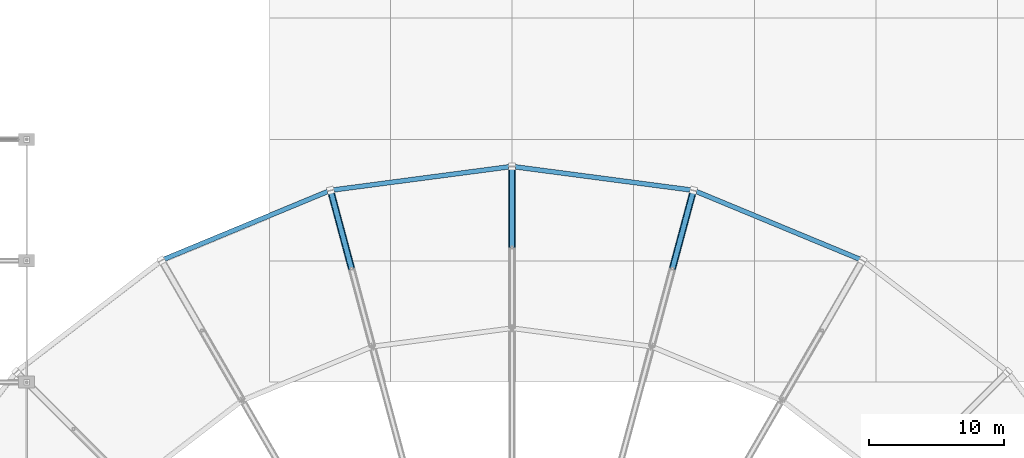
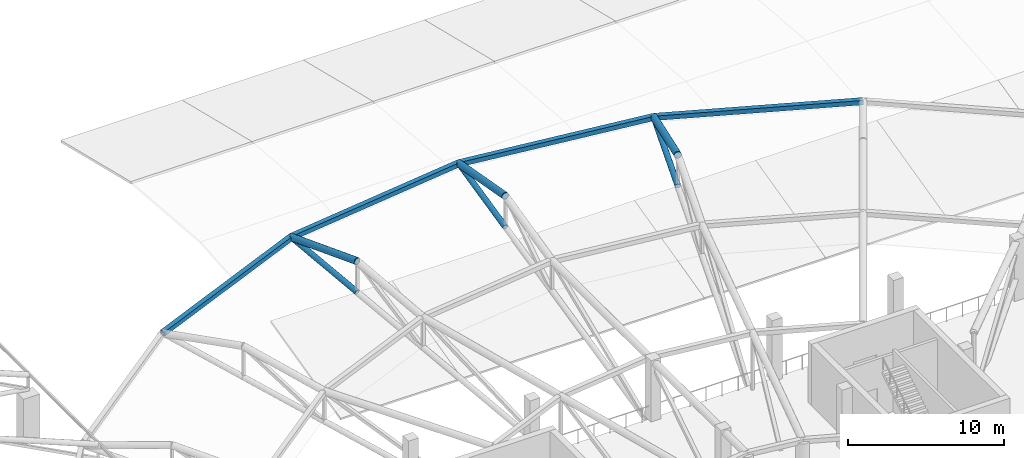
# One storey, part 117 of 167: 10 members.
"""IFC4 building model written with IfcOpenShell, lengths in metres."""

import ifcopenshell
import ifcopenshell.guid

model = None  # the IFC model being written
_history = None  # IfcOwnerHistory: only IFC2X3 demands one
_inside = {}  # id of a spatial element -> (the spatial element, [elements in it])
_under = {}  # id of a project, library or spatial element -> (it, [spatial elements below it])
_declared = {}  # id of a project -> (the project, [libraries it declares])
_typed = {}  # id of a type object -> (the type object, [elements of that type])
_made_of = {}  # id of a material, layer set ... -> (it, [elements and type objects made of it])


def new_model(schema):
    """Start an empty IFC model of exactly this schema.

    Asked for "IFC4X3", IfcOpenShell would pick the latest addendum, in which some entities
    have other attributes; the version numbers below select the first issue.
    IFC2X3 requires an IfcOwnerHistory on every rooted entity: one is made here for all.
    """
    global model, _history
    if schema == "IFC4X3":
        model = ifcopenshell.file(schema_version=(4, 3, 0, 0))
    else:
        model = ifcopenshell.file(schema=schema)
    _inside.clear()
    _under.clear()
    _declared.clear()
    _typed.clear()
    _made_of.clear()
    _history = None
    if model.schema == "IFC2X3":
        org = make("IfcOrganization", Name="unknown")
        user = make(
            "IfcPersonAndOrganization",
            ThePerson=make("IfcPerson", FamilyName="unknown"),
            TheOrganization=org,
        )
        app = make(
            "IfcApplication",
            ApplicationDeveloper=org,
            Version="unknown",
            ApplicationFullName="unknown",
            ApplicationIdentifier="unknown",
        )
        _history = make(
            "IfcOwnerHistory",
            OwningUser=user,
            OwningApplication=app,
            ChangeAction="ADDED",
            CreationDate=0,
        )
    return model


def make(cls, **values):
    """One entity of the class cls with the attributes given. An attribute that is None is left unset."""
    return model.create_entity(
        cls, **{name: value for name, value in values.items() if value is not None}
    )


def rooted(cls, **values):
    """An entity with a GlobalId (a new one), such as an element, a storey or a relation."""
    return make(cls, GlobalId=ifcopenshell.guid.new(), OwnerHistory=_history, **values)


def si_unit(unit_type, name, prefix=None):
    """IfcSIUnit, for example si_unit("LENGTHUNIT", "METRE", prefix="MILLI")."""
    return make("IfcSIUnit", UnitType=unit_type, Prefix=prefix, Name=name)


def assignment(units):
    """IfcUnitAssignment: the units of a project."""
    return None if units is None else make("IfcUnitAssignment", Units=units)


def point(xyz):
    """IfcCartesianPoint."""
    return None if xyz is None else make("IfcCartesianPoint", Coordinates=xyz)


def direction(xyz):
    """IfcDirection."""
    return None if xyz is None else make("IfcDirection", DirectionRatios=xyz)


def frame(location, z_axis=None, x_axis=None):
    """IfcAxis2Placement3D, a coordinate frame: its origin and axes. An axis left out is left unset."""
    return make(
        "IfcAxis2Placement3D",
        Location=point(location),
        Axis=direction(z_axis),
        RefDirection=direction(x_axis),
    )


def frame_2d(location, x_axis=None):
    """IfcAxis2Placement2D, a coordinate frame in the plane: its origin and x axis."""
    return make(
        "IfcAxis2Placement2D", Location=point(location), RefDirection=direction(x_axis)
    )


def origin():
    """The frame at (0, 0, 0) with its axes left unset."""
    return frame((0.0, 0.0, 0.0))


def origin_2d():
    """The frame at (0, 0) in the plane with its x axis left unset."""
    return frame_2d((0.0, 0.0))


def place(relative_to, where):
    """IfcLocalPlacement: puts the frame where relative to a parent placement (None: the world)."""
    return make(
        "IfcLocalPlacement", PlacementRelTo=relative_to, RelativePlacement=where
    )


def context(
    kind, dimensions, precision=None, world=None, true_north=None, identifier=None
):
    """IfcGeometricRepresentationContext, for example the 3D "Model" context."""
    return make(
        "IfcGeometricRepresentationContext",
        ContextIdentifier=identifier,
        ContextType=kind,
        CoordinateSpaceDimension=dimensions,
        Precision=precision,
        WorldCoordinateSystem=world,
        TrueNorth=true_north,
    )


def subcontext(parent, identifier, kind, view, scale=None):
    """IfcGeometricRepresentationSubContext, for example "Body" below "Model"."""
    return make(
        "IfcGeometricRepresentationSubContext",
        ContextIdentifier=identifier,
        ContextType=kind,
        ParentContext=parent,
        TargetScale=scale,
        TargetView=view,
    )


def project(units=None, contexts=None):
    """IfcProject with its units and contexts."""
    return rooted(
        "IfcProject",
        Name="project",
        RepresentationContexts=contexts,
        UnitsInContext=assignment(units),
    )


def spatial(cls, under=None, at=None, **own):
    """A site, building, storey or space (cls), placed at a placement, below another one or the project."""
    s = rooted(cls, ObjectPlacement=at, **own)
    if under is not None:
        _under.setdefault(under.id(), (under, []))[1].append(s)
    return s


def profile(cls, at=None, kind="AREA", **sizes):
    """A parametric profile (cls). Its sizes go by their IFC names, for example OverallWidth=200.0."""
    return make(cls, ProfileType=kind, Position=at, **sizes)


def hollow_rectangle(**sizes):
    """IfcRectangleHollowProfileDef."""
    return profile("IfcRectangleHollowProfileDef", **sizes)


def hollow_circle(**sizes):
    """IfcCircleHollowProfileDef."""
    return profile("IfcCircleHollowProfileDef", **sizes)


def extrude(swept, where, along, depth):
    """IfcExtrudedAreaSolid: the profile swept, set in the frame where, extruded along a direction by depth."""
    return make(
        "IfcExtrudedAreaSolid",
        SweptArea=swept,
        Position=where,
        ExtrudedDirection=direction(along),
        Depth=depth,
    )


def shape(context_of_items, identifier, shape_type, items):
    """IfcShapeRepresentation: the items that make up one representation, for example the "Body"."""
    return make(
        "IfcShapeRepresentation",
        ContextOfItems=context_of_items,
        RepresentationIdentifier=identifier,
        RepresentationType=shape_type,
        Items=items,
    )


def material(Name=None, Category=None):
    """IfcMaterial."""
    return make("IfcMaterial", Name=Name, Category=Category)


def material_profile(
    of_material, cross_section, Name=None, Category=None, Priority=None
):
    """IfcMaterialProfile: a cross section and its material."""
    return make(
        "IfcMaterialProfile",
        Name=Name,
        Material=of_material,
        Profile=cross_section,
        Priority=Priority,
        Category=Category,
    )


def profile_set(profiles, Name=None, composite=None):
    """IfcMaterialProfileSet."""
    return make(
        "IfcMaterialProfileSet",
        Name=Name,
        MaterialProfiles=profiles,
        CompositeProfile=composite,
    )


def made_of(thing, what):
    """Note that an element or type object is made of a material, layer set ...; save() writes the relation."""
    if what is not None:
        _made_of.setdefault(what.id(), (what, []))[1].append(thing)
    return thing


def type_object(cls, material=None, **own):
    """A type object (cls), such as IfcWallType, which elements share."""
    return made_of(rooted(cls, **own), material)


def element(
    cls,
    number,
    at=None,
    inside=None,
    cuts=None,
    type_object=None,
    material=None,
    context=None,
    identifier="Body",
    shape_type=None,
    held_by="IfcProductDefinitionShape",
    body=None,
    shapes=None,
    **own,
):
    """One element of the class cls, such as IfcWall. Its Tag is "e" and its number.

    at: its placement. inside: the storey or other place that contains it. cuts: it is an
    opening in that element (IfcRelVoidsElement). A single representation is given by context,
    identifier, shape_type and body (its items); several are given by shapes. held_by: the class
    of the entity that holds the representations. save() writes the other relations.
    """
    e = rooted(cls, Tag="e%d" % number, ObjectPlacement=at, **own)
    if body is not None:
        shapes = [shape(context, identifier, shape_type, body)]
    if shapes is not None:
        e.Representation = make(held_by, Representations=shapes)
    if inside is not None:
        _inside.setdefault(inside.id(), (inside, []))[1].append(e)
    if cuts is not None:
        rooted(
            "IfcRelVoidsElement", RelatingBuildingElement=cuts, RelatedOpeningElement=e
        )
    if type_object is not None:
        _typed.setdefault(type_object.id(), (type_object, []))[1].append(e)
    return made_of(e, material)


def aggregate(whole, parts):
    """IfcRelAggregates: a whole, such as a stair, and the parts it consists of."""
    return rooted("IfcRelAggregates", RelatingObject=whole, RelatedObjects=parts)


def save(model, path):
    """Write the relations noted so far, then the file.

    IfcRelAggregates (storeys below a building ...), IfcRelContainedInSpatialStructure (elements
    in a storey), IfcRelDefinesByType, IfcRelAssociatesMaterial and IfcRelDeclares: one each for
    every whole, place, type object, material and project.
    """
    for whole, parts in _under.values():
        aggregate(whole, parts)
    for where, things in _inside.values():
        rooted(
            "IfcRelContainedInSpatialStructure",
            RelatedElements=things,
            RelatingStructure=where,
        )
    for kind, things in _typed.values():
        rooted("IfcRelDefinesByType", RelatedObjects=things, RelatingType=kind)
    for what, things in _made_of.values():
        rooted("IfcRelAssociatesMaterial", RelatedObjects=things, RelatingMaterial=what)
    for by, libraries in _declared.values():
        rooted("IfcRelDeclares", RelatingContext=by, RelatedDefinitions=libraries)
    model.write(path)


model = new_model("IFC4")

# Units and contexts
model_context = context("Model", 3, precision=1e-05, world=origin(), true_north=direction((0.0, 1.0)))
body_context = subcontext(model_context, "Body", "Model", "MODEL_VIEW")
ifc_project = project(units=[si_unit("LENGTHUNIT", "METRE"), si_unit("AREAUNIT", "SQUARE_METRE"), si_unit("VOLUMEUNIT", "CUBIC_METRE"), si_unit("PLANEANGLEUNIT", "RADIAN"), si_unit("MASSUNIT", "GRAM", prefix="KILO")], contexts=[model_context])

# Site, building, storey
site_placement = place(None, origin())
site = spatial("IfcSite", under=ifc_project, at=site_placement, CompositionType="ELEMENT")
building_placement = place(site_placement, origin())
building = spatial("IfcBuilding", under=site, at=building_placement, Name="Dornveld Trade and Exhibition Forum", CompositionType="ELEMENT")
storey_placement = place(building_placement, frame((0.0, 0.0, 16.800048828125)))
storey = spatial("IfcBuildingStorey", under=building, at=storey_placement, Name="L03", CompositionType="ELEMENT", Elevation=16.800048828125)

# Members
ifc_material_1 = material(Name="Steel S355J2", Category="steel")
ifc_material_profile_1 = material_profile(ifc_material_1, hollow_circle(Radius=0.203125, WallThickness=0.02001953125, at=origin_2d()), Name="CHS 406.4x20")
ifc_profile_set_1 = profile_set([ifc_material_profile_1], Name="Steel S355J2")
member_type_1 = type_object("IfcMemberType", Name="MEM-DISC-BC", PredefinedType="CHORD", material=ifc_profile_set_1)
member_1_placement = place(storey_placement, frame((128.90576171875, 125.4326171875, 3.437744140625), z_axis=(0.25237327368, 0.941955467078, 0.221421834455), x_axis=(-0.96593170523, 0.2587971036, 0.0)))
element("IfcMember", 1, at=member_1_placement, inside=storey, type_object=member_type_1, Name="Roof disc radial R06 conical bottom chord 4", PredefinedType="CHORD", context=body_context, shape_type="SweptSolid", body=[
    extrude(hollow_circle(Radius=0.203125, WallThickness=0.02001953125, at=origin_2d()), origin(), (0.0, 0.0, 1.0), 6.152587890625),
])
member_2_placement = place(storey_placement, frame((117.0, 127.0, 3.437744140625), z_axis=(0.0, 0.975179608328, 0.22141529193), x_axis=(-1.0, 0.0, 0.0)))
element("IfcMember", 2, at=member_2_placement, inside=storey, type_object=member_type_1, Name="Roof disc radial R07 conical bottom chord 4", PredefinedType="CHORD", context=body_context, shape_type="SweptSolid", body=[
    extrude(hollow_circle(Radius=0.203125, WallThickness=0.02001953125, at=origin_2d()), origin(), (0.0, 0.0, 1.0), 6.15283203125),
])
member_3_placement = place(storey_placement, frame((105.09423828125, 125.4326171875, 3.437744140625), z_axis=(-0.25237327368, 0.941955467078, 0.221421834455), x_axis=(-0.96593170523, -0.2587971036, 0.0)))
element("IfcMember", 3, at=member_3_placement, inside=storey, type_object=member_type_1, Name="Roof disc radial R08 conical bottom chord 4", PredefinedType="CHORD", context=body_context, shape_type="SweptSolid", body=[
    extrude(hollow_circle(Radius=0.203125, WallThickness=0.02001953125, at=origin_2d()), origin(), (0.0, 0.0, 1.0), 6.152587890625),
])
ifc_material_2 = material(Name="Steel S355J2", Category="steel")
ifc_material_profile_2 = material_profile(ifc_material_2, hollow_rectangle(XDim=0.35009765625, YDim=0.35009765625, WallThickness=0.01611328125, at=origin_2d()), Name="SHS 350x350x16")
ifc_profile_set_2 = profile_set([ifc_material_profile_2], Name="Steel S355J2")
member_type_2 = type_object("IfcMemberType", Name="MEM-DISC-RING", PredefinedType="CHORD", material=ifc_profile_set_2)
for number, where, z_axis, x_axis, name in (
    (4, (143.0, 126.033203125, 4.800048828125), (-0.923880490743, 0.382681118981, 0.0), (-0.382681118981, -0.923880490743, 0.0), "Roof disc ring 4 chord 5"),
    (5, (130.45849609375, 131.22802734375, 4.800048828125), (-0.991443640781, 0.130535463208, 0.0), (-0.130535463208, -0.991443640781, 0.0), "Roof disc ring 4 chord 6"),
    (6, (117.0, 133.0, 4.800048828125), (-0.991443640781, -0.130535463208, 0.0), (0.130535463208, -0.991443640781, 0.0), "Roof disc ring 4 chord 7"),
    (7, (103.54150390625, 131.22802734375, 4.800048828125), (-0.923880490743, -0.382681118981, 0.0), (0.382681118981, -0.923880490743, 0.0), "Roof disc ring 4 chord 8"),
):
    element("IfcMember", number, at=place(storey_placement, frame(where, z_axis=z_axis, x_axis=x_axis)), inside=storey, type_object=member_type_2, Name=name, PredefinedType="CHORD", context=body_context, shape_type="SweptSolid", body=[
        extrude(hollow_rectangle(XDim=0.35009765625, YDim=0.35009765625, WallThickness=0.01611328125, at=origin_2d()), origin(), (0.0, 0.0, 1.0), 13.57470703125),
    ])
ifc_material_3 = material(Name="Steel S355J2", Category="steel")
ifc_material_profile_3 = material_profile(ifc_material_3, hollow_circle(Radius=0.25390625, WallThickness=0.02490234375, at=origin_2d()), Name="CHS 508x25")
ifc_profile_set_3 = profile_set([ifc_material_profile_3], Name="Steel S355J2")
member_type_3 = type_object("IfcMemberType", Name="MEM-DISC-TC", PredefinedType="CHORD", material=ifc_profile_set_3)
for number, where, z_axis, x_axis, name in (
    (8, (128.90576171875, 125.4326171875, 5.875), (0.254740836281, 0.950792133905, -0.176355959457), (-0.96593170523, 0.2587971036, 0.0), "Roof disc radial R06 top chord 4"),
    (9, (117.0, 127.0, 5.875), (0.0, 0.984327409014, -0.176350650305), (-1.0, 0.0, 0.0), "Roof disc radial R07 top chord 4"),
    (10, (105.09423828125, 125.4326171875, 5.875), (-0.254740836281, 0.950792133905, -0.176355959457), (-0.96593170523, -0.2587971036, 0.0), "Roof disc radial R08 top chord 4"),
):
    element("IfcMember", number, at=place(storey_placement, frame(where, z_axis=z_axis, x_axis=x_axis)), inside=storey, type_object=member_type_3, Name=name, PredefinedType="CHORD", context=body_context, shape_type="SweptSolid", body=[
        extrude(hollow_circle(Radius=0.25390625, WallThickness=0.02490234375, at=origin_2d()), origin(), (0.0, 0.0, 1.0), 6.095458984375),
    ])

save(model, "model.ifc")
